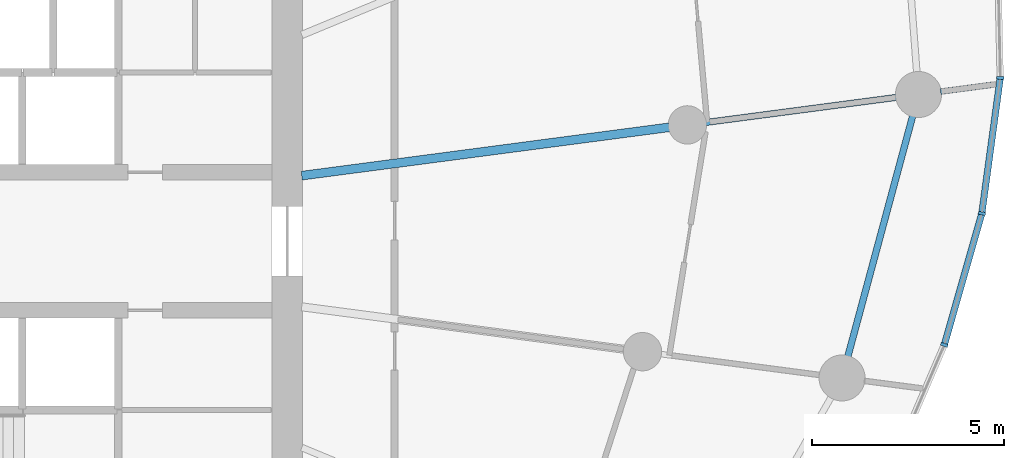
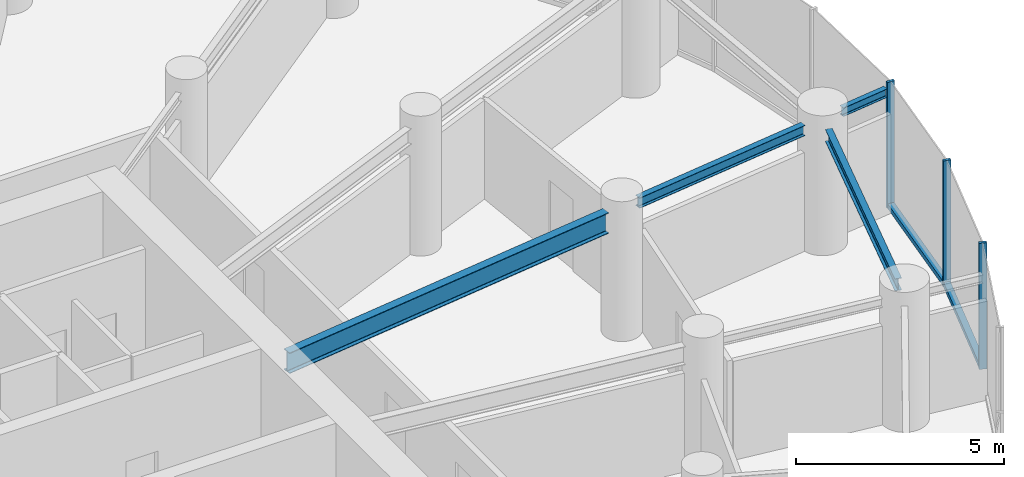
# One storey, part 5 of 17: 5 members, 4 beams, 2 elements without a shape of their own.
"""IFC4 building model written with IfcOpenShell, lengths in metres."""

import ifcopenshell
import ifcopenshell.guid

model = None  # the IFC model being written
_history = None  # IfcOwnerHistory: only IFC2X3 demands one
_inside = {}  # id of a spatial element -> (the spatial element, [elements in it])
_under = {}  # id of a project, library or spatial element -> (it, [spatial elements below it])
_declared = {}  # id of a project -> (the project, [libraries it declares])
_typed = {}  # id of a type object -> (the type object, [elements of that type])
_made_of = {}  # id of a material, layer set ... -> (it, [elements and type objects made of it])


def new_model(schema):
    """Start an empty IFC model of exactly this schema.

    Asked for "IFC4X3", IfcOpenShell would pick the latest addendum, in which some entities
    have other attributes; the version numbers below select the first issue.
    IFC2X3 requires an IfcOwnerHistory on every rooted entity: one is made here for all.
    """
    global model, _history
    if schema == "IFC4X3":
        model = ifcopenshell.file(schema_version=(4, 3, 0, 0))
    else:
        model = ifcopenshell.file(schema=schema)
    _inside.clear()
    _under.clear()
    _declared.clear()
    _typed.clear()
    _made_of.clear()
    _history = None
    if model.schema == "IFC2X3":
        org = make("IfcOrganization", Name="unknown")
        user = make(
            "IfcPersonAndOrganization",
            ThePerson=make("IfcPerson", FamilyName="unknown"),
            TheOrganization=org,
        )
        app = make(
            "IfcApplication",
            ApplicationDeveloper=org,
            Version="unknown",
            ApplicationFullName="unknown",
            ApplicationIdentifier="unknown",
        )
        _history = make(
            "IfcOwnerHistory",
            OwningUser=user,
            OwningApplication=app,
            ChangeAction="ADDED",
            CreationDate=0,
        )
    return model


def make(cls, **values):
    """One entity of the class cls with the attributes given. An attribute that is None is left unset."""
    return model.create_entity(
        cls, **{name: value for name, value in values.items() if value is not None}
    )


def rooted(cls, **values):
    """An entity with a GlobalId (a new one), such as an element, a storey or a relation."""
    return make(cls, GlobalId=ifcopenshell.guid.new(), OwnerHistory=_history, **values)


def si_unit(unit_type, name, prefix=None):
    """IfcSIUnit, for example si_unit("LENGTHUNIT", "METRE", prefix="MILLI")."""
    return make("IfcSIUnit", UnitType=unit_type, Prefix=prefix, Name=name)


def assignment(units):
    """IfcUnitAssignment: the units of a project."""
    return None if units is None else make("IfcUnitAssignment", Units=units)


def point(xyz):
    """IfcCartesianPoint."""
    return None if xyz is None else make("IfcCartesianPoint", Coordinates=xyz)


def direction(xyz):
    """IfcDirection."""
    return None if xyz is None else make("IfcDirection", DirectionRatios=xyz)


def frame(location, z_axis=None, x_axis=None):
    """IfcAxis2Placement3D, a coordinate frame: its origin and axes. An axis left out is left unset."""
    return make(
        "IfcAxis2Placement3D",
        Location=point(location),
        Axis=direction(z_axis),
        RefDirection=direction(x_axis),
    )


def frame_2d(location, x_axis=None):
    """IfcAxis2Placement2D, a coordinate frame in the plane: its origin and x axis."""
    return make(
        "IfcAxis2Placement2D", Location=point(location), RefDirection=direction(x_axis)
    )


def origin():
    """The frame at (0, 0, 0) with its axes left unset."""
    return frame((0.0, 0.0, 0.0))


def origin_2d():
    """The frame at (0, 0) in the plane with its x axis left unset."""
    return frame_2d((0.0, 0.0))


def place(relative_to, where):
    """IfcLocalPlacement: puts the frame where relative to a parent placement (None: the world)."""
    return make(
        "IfcLocalPlacement", PlacementRelTo=relative_to, RelativePlacement=where
    )


def context(
    kind, dimensions, precision=None, world=None, true_north=None, identifier=None
):
    """IfcGeometricRepresentationContext, for example the 3D "Model" context."""
    return make(
        "IfcGeometricRepresentationContext",
        ContextIdentifier=identifier,
        ContextType=kind,
        CoordinateSpaceDimension=dimensions,
        Precision=precision,
        WorldCoordinateSystem=world,
        TrueNorth=true_north,
    )


def subcontext(parent, identifier, kind, view, scale=None):
    """IfcGeometricRepresentationSubContext, for example "Body" below "Model"."""
    return make(
        "IfcGeometricRepresentationSubContext",
        ContextIdentifier=identifier,
        ContextType=kind,
        ParentContext=parent,
        TargetScale=scale,
        TargetView=view,
    )


def project(units=None, contexts=None):
    """IfcProject with its units and contexts."""
    return rooted(
        "IfcProject",
        Name="project",
        RepresentationContexts=contexts,
        UnitsInContext=assignment(units),
    )


def spatial(cls, under=None, at=None, **own):
    """A site, building, storey or space (cls), placed at a placement, below another one or the project."""
    s = rooted(cls, ObjectPlacement=at, **own)
    if under is not None:
        _under.setdefault(under.id(), (under, []))[1].append(s)
    return s


def profile(cls, at=None, kind="AREA", **sizes):
    """A parametric profile (cls). Its sizes go by their IFC names, for example OverallWidth=200.0."""
    return make(cls, ProfileType=kind, Position=at, **sizes)


def rectangle(**sizes):
    """IfcRectangleProfileDef."""
    return profile("IfcRectangleProfileDef", **sizes)


def i_section(**sizes):
    """IfcIShapeProfileDef."""
    return profile("IfcIShapeProfileDef", **sizes)


def extrude(swept, where, along, depth):
    """IfcExtrudedAreaSolid: the profile swept, set in the frame where, extruded along a direction by depth."""
    return make(
        "IfcExtrudedAreaSolid",
        SweptArea=swept,
        Position=where,
        ExtrudedDirection=direction(along),
        Depth=depth,
    )


def shape(context_of_items, identifier, shape_type, items):
    """IfcShapeRepresentation: the items that make up one representation, for example the "Body"."""
    return make(
        "IfcShapeRepresentation",
        ContextOfItems=context_of_items,
        RepresentationIdentifier=identifier,
        RepresentationType=shape_type,
        Items=items,
    )


def source(mapping_origin, context_of_items, identifier, shape_type, items):
    """IfcRepresentationMap: a shape defined once, which mapped items show again and again."""
    return make(
        "IfcRepresentationMap",
        MappingOrigin=mapping_origin,
        MappedRepresentation=shape(context_of_items, identifier, shape_type, items),
    )


def transform(
    local_origin,
    x_axis=None,
    y_axis=None,
    z_axis=None,
    scale=None,
    scale2=None,
    scale3=None,
    uniform=True,
):
    """IfcCartesianTransformationOperator3D, or its non-uniform kind. x_axis, y_axis, z_axis: its Axis1, 2, 3."""
    if uniform:
        return make(
            "IfcCartesianTransformationOperator3D",
            Axis1=direction(x_axis),
            Axis2=direction(y_axis),
            LocalOrigin=point(local_origin),
            Scale=scale,
            Axis3=direction(z_axis),
        )
    return make(
        "IfcCartesianTransformationOperator3DnonUniform",
        Axis1=direction(x_axis),
        Axis2=direction(y_axis),
        LocalOrigin=point(local_origin),
        Scale=scale,
        Axis3=direction(z_axis),
        Scale2=scale2,
        Scale3=scale3,
    )


def mapped(mapping_source, mapping_target):
    """IfcMappedItem: shows the shape of a source again, moved by a transform."""
    return make(
        "IfcMappedItem", MappingSource=mapping_source, MappingTarget=mapping_target
    )


def material(Name=None, Category=None):
    """IfcMaterial."""
    return make("IfcMaterial", Name=Name, Category=Category)


def layer(
    of_material, thickness, ventilated=None, Name=None, Category=None, Priority=None
):
    """IfcMaterialLayer: one layer of a wall or slab, of a material (None: an air gap)."""
    return make(
        "IfcMaterialLayer",
        Material=of_material,
        LayerThickness=thickness,
        IsVentilated=ventilated,
        Name=Name,
        Category=Category,
        Priority=Priority,
    )


def layer_set(layers, Name=None):
    """IfcMaterialLayerSet."""
    return make("IfcMaterialLayerSet", MaterialLayers=layers, LayerSetName=Name)


def material_profile(
    of_material, cross_section, Name=None, Category=None, Priority=None
):
    """IfcMaterialProfile: a cross section and its material."""
    return make(
        "IfcMaterialProfile",
        Name=Name,
        Material=of_material,
        Profile=cross_section,
        Priority=Priority,
        Category=Category,
    )


def profile_set(profiles, Name=None, composite=None):
    """IfcMaterialProfileSet."""
    return make(
        "IfcMaterialProfileSet",
        Name=Name,
        MaterialProfiles=profiles,
        CompositeProfile=composite,
    )


def made_of(thing, what):
    """Note that an element or type object is made of a material, layer set ...; save() writes the relation."""
    if what is not None:
        _made_of.setdefault(what.id(), (what, []))[1].append(thing)
    return thing


def type_object(cls, material=None, **own):
    """A type object (cls), such as IfcWallType, which elements share."""
    return made_of(rooted(cls, **own), material)


def element(
    cls,
    number,
    at=None,
    inside=None,
    cuts=None,
    type_object=None,
    material=None,
    context=None,
    identifier="Body",
    shape_type=None,
    held_by="IfcProductDefinitionShape",
    body=None,
    shapes=None,
    **own,
):
    """One element of the class cls, such as IfcWall. Its Tag is "e" and its number.

    at: its placement. inside: the storey or other place that contains it. cuts: it is an
    opening in that element (IfcRelVoidsElement). A single representation is given by context,
    identifier, shape_type and body (its items); several are given by shapes. held_by: the class
    of the entity that holds the representations. save() writes the other relations.
    """
    e = rooted(cls, Tag="e%d" % number, ObjectPlacement=at, **own)
    if body is not None:
        shapes = [shape(context, identifier, shape_type, body)]
    if shapes is not None:
        e.Representation = make(held_by, Representations=shapes)
    if inside is not None:
        _inside.setdefault(inside.id(), (inside, []))[1].append(e)
    if cuts is not None:
        rooted(
            "IfcRelVoidsElement", RelatingBuildingElement=cuts, RelatedOpeningElement=e
        )
    if type_object is not None:
        _typed.setdefault(type_object.id(), (type_object, []))[1].append(e)
    return made_of(e, material)


def aggregate(whole, parts):
    """IfcRelAggregates: a whole, such as a stair, and the parts it consists of."""
    return rooted("IfcRelAggregates", RelatingObject=whole, RelatedObjects=parts)


def save(model, path):
    """Write the relations noted so far, then the file.

    IfcRelAggregates (storeys below a building ...), IfcRelContainedInSpatialStructure (elements
    in a storey), IfcRelDefinesByType, IfcRelAssociatesMaterial and IfcRelDeclares: one each for
    every whole, place, type object, material and project.
    """
    for whole, parts in _under.values():
        aggregate(whole, parts)
    for where, things in _inside.values():
        rooted(
            "IfcRelContainedInSpatialStructure",
            RelatedElements=things,
            RelatingStructure=where,
        )
    for kind, things in _typed.values():
        rooted("IfcRelDefinesByType", RelatedObjects=things, RelatingType=kind)
    for what, things in _made_of.values():
        rooted("IfcRelAssociatesMaterial", RelatedObjects=things, RelatingMaterial=what)
    for by, libraries in _declared.values():
        rooted("IfcRelDeclares", RelatingContext=by, RelatedDefinitions=libraries)
    model.write(path)


model = new_model("IFC4")

# Units and contexts
model_context = context("Model", 3, precision=1e-05, world=origin(), true_north=direction((0.0, 1.0)))
body_context = subcontext(model_context, "Body", "Model", "MODEL_VIEW")
ifc_project = project(units=[si_unit("LENGTHUNIT", "METRE"), si_unit("AREAUNIT", "SQUARE_METRE"), si_unit("VOLUMEUNIT", "CUBIC_METRE"), si_unit("PLANEANGLEUNIT", "RADIAN"), si_unit("MASSUNIT", "GRAM", prefix="KILO")], contexts=[model_context])

# Site, building, storey
site_placement = place(None, origin())
site = spatial("IfcSite", under=ifc_project, at=site_placement, CompositionType="ELEMENT")
building_placement = place(site_placement, origin())
building = spatial("IfcBuilding", under=site, at=building_placement, Name="Spindrift Exchange Tower", CompositionType="ELEMENT")
storey_placement = place(building_placement, frame((0.0, 0.0, 100.300048828125)))
storey = spatial("IfcBuildingStorey", under=building, at=storey_placement, Name="L23", CompositionType="ELEMENT", Elevation=100.300048828125)

# Beams
ifc_material_1 = material(Name="Steel Grade 300", Category="steel")
ifc_material_profile_1 = material_profile(ifc_material_1, i_section(OverallWidth=0.22802734375, OverallDepth=0.60693359375, WebThickness=0.01123046875, FlangeThickness=0.017333984375, FilletRadius=0.013916015625, at=origin_2d()), Name="610UB113")
ifc_profile_set_1 = profile_set([ifc_material_profile_1], Name="Steel Grade 300")
beam_type_1 = type_object("IfcBeamType", Name="Floor Beam 610UB113 Steel Grade 300", PredefinedType="BEAM", material=ifc_profile_set_1)
shared_shape_1 = source(origin(), body_context, "Body", "SweptSolid", [
    extrude(i_section(OverallWidth=0.22802734375, OverallDepth=0.60693359375, WebThickness=0.01123046875, FlangeThickness=0.017333984375, FilletRadius=0.013916015625, at=origin_2d()), origin(), (0.0, 0.0, 1.0), 9.660400390625),
])
beam_1_placement = place(storey_placement, frame((64.980224609375, 49.708984375, 3.396484375), z_axis=(0.99144767089, 0.130504850054, 0.0), x_axis=(-0.130504850054, 0.99144767089, 0.0)))
element("IfcBeam", 1, at=beam_1_placement, inside=storey, type_object=beam_type_1, Name="L23 radial beam R01A", PredefinedType="BEAM", context=body_context, shape_type="MappedRepresentation", body=[
    mapped(shared_shape_1, transform((0.0, 0.0, 0.0), scale=1.0)),
])
ifc_material_profile_2 = material_profile(ifc_material_1, i_section(OverallWidth=0.1650390625, OverallDepth=0.303955078125, WebThickness=0.006103515625, FlangeThickness=0.01025390625, FilletRadius=0.011474609375, at=origin_2d()), Name="310UB40.4")
ifc_profile_set_2 = profile_set([ifc_material_profile_2], Name="Steel Grade 300")
beam_type_2 = type_object("IfcBeamType", Name="Floor Beam 310UB40.4 Steel Grade 300", PredefinedType="BEAM", material=ifc_profile_set_2)
shared_shape_2 = source(origin(), body_context, "Body", "SweptSolid", [
    extrude(i_section(OverallWidth=0.1650390625, OverallDepth=0.303955078125, WebThickness=0.006103515625, FlangeThickness=0.01025390625, FilletRadius=0.011474609375, at=origin_2d()), origin(), (0.0, 0.0, 1.0), 5.014404296875),
])
beam_2_placement = place(storey_placement, frame((75.509765625, 51.09521484375, 3.5478515625), z_axis=(0.99145015202, 0.13048599948, 0.0), x_axis=(-0.13048599948, 0.99145015202, 0.0)))
element("IfcBeam", 2, at=beam_2_placement, inside=storey, type_object=beam_type_2, Name="L23 radial beam R01B", PredefinedType="BEAM", context=body_context, shape_type="MappedRepresentation", body=[
    mapped(shared_shape_2, transform((0.0, 0.0, 0.0), scale=1.0)),
])
ifc_material_profile_3 = material_profile(ifc_material_1, i_section(OverallWidth=0.172119140625, OverallDepth=0.35888671875, WebThickness=0.008056640625, FlangeThickness=0.012939453125, FilletRadius=0.013916015625, at=origin_2d()), Name="360UB56.7")
ifc_profile_set_3 = profile_set([ifc_material_profile_3], Name="Steel Grade 300")
beam_type_3 = type_object("IfcBeamType", Name="Edge Beam 360UB56.7 Steel Grade 300", PredefinedType="SPANDREL", material=ifc_profile_set_3)
shared_shape_3 = source(origin(), body_context, "Body", "SweptSolid", [
    extrude(i_section(OverallWidth=0.172119140625, OverallDepth=0.35888671875, WebThickness=0.008056640625, FlangeThickness=0.012939453125, FilletRadius=0.013916015625, at=origin_2d()), origin(), (0.0, 0.0, 1.0), 6.4921875),
])
beam_3_placement = place(storey_placement, frame((79.215576171875, 44.996826171875, 3.5205078125), z_axis=(0.260262058381, 0.965538016324, 0.0), x_axis=(-0.965538016324, 0.260262058381, 0.0)))
element("IfcBeam", 3, at=beam_3_placement, inside=storey, type_object=beam_type_3, Name="L23 edge beam E24", PredefinedType="SPANDREL", context=body_context, shape_type="MappedRepresentation", body=[
    mapped(shared_shape_3, transform((0.0, 0.0, 0.0), scale=1.0)),
])
ifc_material_profile_4 = material_profile(ifc_material_1, i_section(OverallWidth=0.14599609375, OverallDepth=0.251953125, WebThickness=0.006103515625, FlangeThickness=0.008544921875, FilletRadius=0.011962890625, at=origin_2d()), Name="250UB31.4")
ifc_profile_set_4 = profile_set([ifc_material_profile_4], Name="Steel Grade 300")
beam_type_4 = type_object("IfcBeamType", Name="Cantilever Beam 250UB31.4 Steel Grade 300", PredefinedType="BEAM", material=ifc_profile_set_4)
shared_shape_4 = source(origin(), body_context, "Body", "SweptSolid", [
    extrude(i_section(OverallWidth=0.14599609375, OverallDepth=0.251953125, WebThickness=0.006103515625, FlangeThickness=0.008544921875, FilletRadius=0.011962890625, at=origin_2d()), origin(), (0.0, 0.0, 1.0), 1.330078125),
])
beam_4_placement = place(storey_placement, frame((81.63134765625, 51.90087890625, 3.573974609375), z_axis=(0.991422401773, 0.130696676553, 0.0), x_axis=(-0.130696676553, 0.991422401773, 0.0)))
element("IfcBeam", 4, at=beam_4_placement, inside=storey, type_object=beam_type_4, Name="L23 cantilever beam R01T", PredefinedType="BEAM", context=body_context, shape_type="MappedRepresentation", body=[
    mapped(shared_shape_4, transform((0.0, 0.0, 0.0), scale=1.0)),
])

# Curtain wall, members
ifc_material_2 = material(Name="Fritted laminated glass with bronze frame", Category="glass")
ifc_layer = layer(ifc_material_2, 0.18994140625)
ifc_layer_set = layer_set([ifc_layer], Name="ZONE 2 BRONZE FRITTED WALL")
curtain_wall_type = type_object("IfcCurtainWallType", Name="ZONE 2 BRONZE FRITTED WALL", PredefinedType="NOTDEFINED", material=ifc_layer_set)
curtain_wall_1_placement = place(storey_placement, origin())
curtain_wall_1 = element("IfcCurtainWall", 5, at=curtain_wall_1_placement, inside=storey, type_object=curtain_wall_type, Name="L23 Zone 2 Bronze Fritted Wall run 8", PredefinedType="NOTDEFINED")
ifc_material_3 = material(Name="Bronze anodised aluminium", Category="aluminium")
ifc_material_profile_5 = material_profile(ifc_material_3, rectangle(XDim=0.074951171875, YDim=0.18994140625, at=origin_2d()), Name="ZONE 2 BRONZE FRITTED WALL MULLION 75X190")
ifc_profile_set_5 = profile_set([ifc_material_profile_5], Name="Bronze anodised aluminium")
member_type_1 = type_object("IfcMemberType", Name="ZONE 2 BRONZE FRITTED WALL MULLION 75X190", PredefinedType="MULLION", material=ifc_profile_set_5)
shared_shape_5 = source(origin(), body_context, "Body", "SweptSolid", [
    extrude(rectangle(XDim=0.074951171875, YDim=0.18994140625, at=origin_2d()), origin(), (0.0, 0.0, 1.0), 3.699951171875),
])
member_1_placement = place(storey_placement, frame((81.729736328125, 45.297119140625, 0.0), z_axis=(0.0, 0.0, 1.0), x_axis=(0.335756778529, 0.941948717113, 0.0)))
member_1 = element("IfcMember", 6, at=member_1_placement, type_object=member_type_1, Name="L23 mullion CW-2.47", PredefinedType="MULLION", context=body_context, shape_type="MappedRepresentation", body=[
    mapped(shared_shape_5, transform((0.0, 0.0, 0.0), scale=1.0)),
])
member_2_placement = place(storey_placement, frame((82.7080078125, 48.725341796875, 0.0), z_axis=(0.0, 0.0, 1.0), x_axis=(0.20510287102, 0.978740421307, 0.0)))
member_2 = element("IfcMember", 7, at=member_2_placement, type_object=member_type_1, Name="L23 mullion CW-2.48", PredefinedType="MULLION", context=body_context, shape_type="MappedRepresentation", body=[
    mapped(shared_shape_5, transform((0.0, 0.0, 0.0), scale=1.0)),
])

# Curtain wall, member
curtain_wall_2_placement = place(storey_placement, origin())
curtain_wall_2 = element("IfcCurtainWall", 8, at=curtain_wall_2_placement, inside=storey, type_object=curtain_wall_type, Name="L23 Zone 2 Bronze Fritted Wall run 9", PredefinedType="NOTDEFINED")
member_3_placement = place(storey_placement, frame((83.1884765625, 52.257080078125, 0.0), z_axis=(0.0, 0.0, 1.0), x_axis=(0.056592977875, 0.998397333157, 0.0)))
member_3 = element("IfcMember", 9, at=member_3_placement, type_object=member_type_1, Name="L23 mullion CW-2.49", PredefinedType="MULLION", context=body_context, shape_type="MappedRepresentation", body=[
    mapped(shared_shape_5, transform((0.0, 0.0, 0.0), scale=1.0)),
])
aggregate(curtain_wall_2, [member_3])

# Member
ifc_material_profile_6 = material_profile(ifc_material_3, rectangle(XDim=0.169921875, YDim=0.139892578125, at=origin_2d()), Name="ZONE 2 BRONZE FRITTED WALL TRANSOM 170X140")
ifc_profile_set_6 = profile_set([ifc_material_profile_6], Name="Bronze anodised aluminium")
member_type_2 = type_object("IfcMemberType", Name="ZONE 2 BRONZE FRITTED WALL TRANSOM 170X140", PredefinedType="USERDEFINED", material=ifc_profile_set_6)
shared_shape_6 = source(origin(), body_context, "Body", "SweptSolid", [
    extrude(rectangle(XDim=0.169921875, YDim=0.139892578125, at=origin_2d()), origin(), (0.0, 0.0, 1.0), 3.489501953125),
])
member_4_placement = place(storey_placement, frame((82.712890625, 48.762451171875, 0.070068359375), z_axis=(0.134825952142, 0.990869296441, 0.0), x_axis=(-0.990869296441, 0.134825952142, 0.0)))
member_4 = element("IfcMember", 10, at=member_4_placement, type_object=member_type_2, Name="L23 transom CW-2.48", ObjectType="TRANSOM", PredefinedType="USERDEFINED", context=body_context, shape_type="MappedRepresentation", body=[
    mapped(shared_shape_6, transform((0.0, 0.0, 0.0), scale=1.0)),
])

shared_shape_7 = source(origin(), body_context, "Body", "SweptSolid", [
    extrude(rectangle(XDim=0.169921875, YDim=0.139892578125, at=origin_2d()), origin(), (0.0, 0.0, 1.0), 3.490234375),
])
member_5_placement = place(storey_placement, frame((81.739990234375, 45.3330078125, 0.070068359375), z_axis=(0.274351550132, 0.961629464472, 0.0), x_axis=(-0.961629464472, 0.274351550132, 0.0)))
member_5 = element("IfcMember", 11, at=member_5_placement, type_object=member_type_2, Name="L23 transom CW-2.47", ObjectType="TRANSOM", PredefinedType="USERDEFINED", context=body_context, shape_type="MappedRepresentation", body=[
    mapped(shared_shape_7, transform((0.0, 0.0, 0.0), scale=1.0)),
])

aggregate(curtain_wall_1, [member_1, member_5, member_2, member_4])

save(model, "model.ifc")
